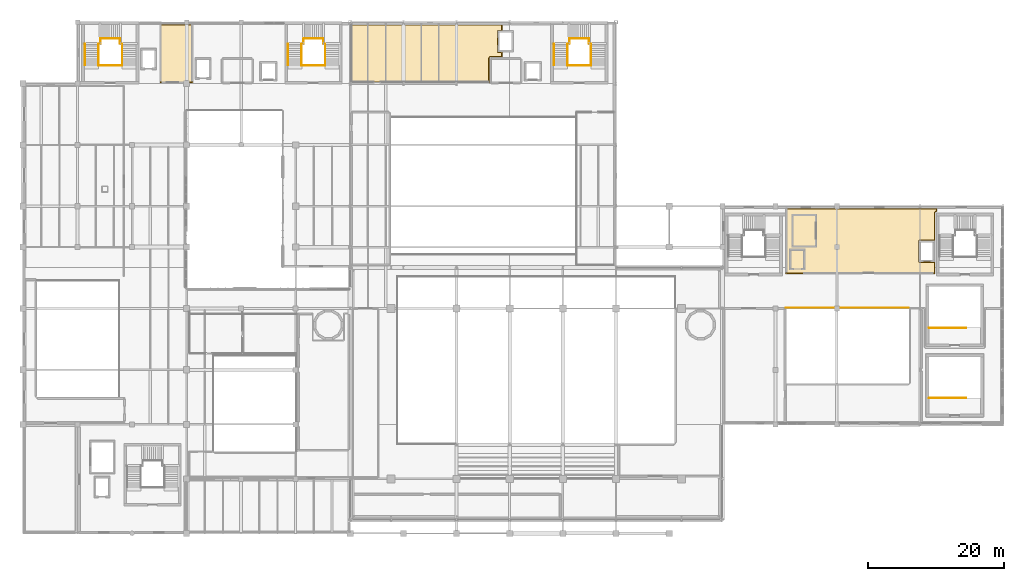
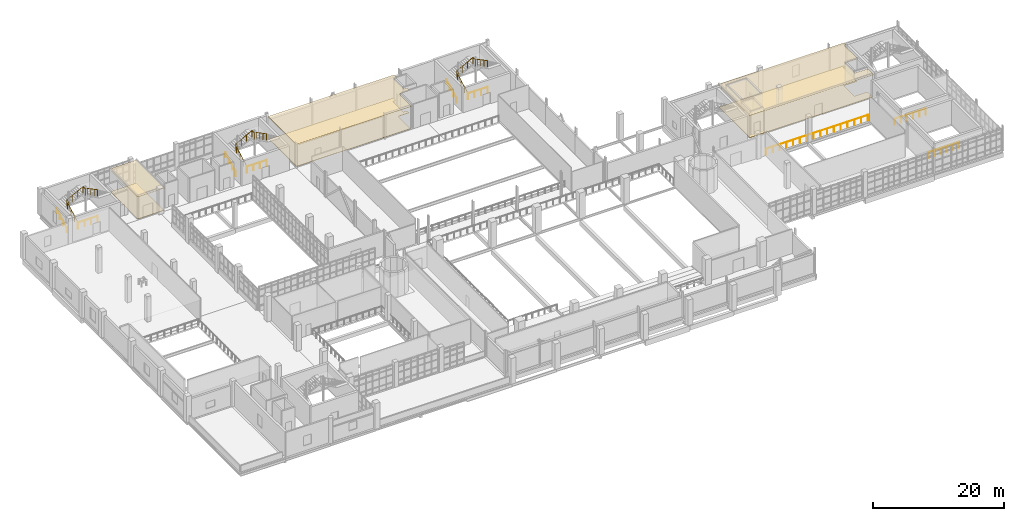
# One storey, part 101 of 102: 12 railings, 6 coverings.
"""IFC4 building model written with IfcOpenShell, lengths in metres."""

import ifcopenshell
import ifcopenshell.guid

model = None  # the IFC model being written
_history = None  # IfcOwnerHistory: only IFC2X3 demands one
_inside = {}  # id of a spatial element -> (the spatial element, [elements in it])
_under = {}  # id of a project, library or spatial element -> (it, [spatial elements below it])
_declared = {}  # id of a project -> (the project, [libraries it declares])
_typed = {}  # id of a type object -> (the type object, [elements of that type])
_made_of = {}  # id of a material, layer set ... -> (it, [elements and type objects made of it])


def new_model(schema):
    """Start an empty IFC model of exactly this schema.

    Asked for "IFC4X3", IfcOpenShell would pick the latest addendum, in which some entities
    have other attributes; the version numbers below select the first issue.
    IFC2X3 requires an IfcOwnerHistory on every rooted entity: one is made here for all.
    """
    global model, _history
    if schema == "IFC4X3":
        model = ifcopenshell.file(schema_version=(4, 3, 0, 0))
    else:
        model = ifcopenshell.file(schema=schema)
    _inside.clear()
    _under.clear()
    _declared.clear()
    _typed.clear()
    _made_of.clear()
    _history = None
    if model.schema == "IFC2X3":
        org = make("IfcOrganization", Name="unknown")
        user = make(
            "IfcPersonAndOrganization",
            ThePerson=make("IfcPerson", FamilyName="unknown"),
            TheOrganization=org,
        )
        app = make(
            "IfcApplication",
            ApplicationDeveloper=org,
            Version="unknown",
            ApplicationFullName="unknown",
            ApplicationIdentifier="unknown",
        )
        _history = make(
            "IfcOwnerHistory",
            OwningUser=user,
            OwningApplication=app,
            ChangeAction="ADDED",
            CreationDate=0,
        )
    return model


def make(cls, **values):
    """One entity of the class cls with the attributes given. An attribute that is None is left unset."""
    return model.create_entity(
        cls, **{name: value for name, value in values.items() if value is not None}
    )


def rooted(cls, **values):
    """An entity with a GlobalId (a new one), such as an element, a storey or a relation."""
    return make(cls, GlobalId=ifcopenshell.guid.new(), OwnerHistory=_history, **values)


def si_unit(unit_type, name, prefix=None):
    """IfcSIUnit, for example si_unit("LENGTHUNIT", "METRE", prefix="MILLI")."""
    return make("IfcSIUnit", UnitType=unit_type, Prefix=prefix, Name=name)


def derived_unit(unit_type, elements):
    """IfcDerivedUnit: a product of units, each with its exponent."""
    return make(
        "IfcDerivedUnit",
        Elements=[
            make("IfcDerivedUnitElement", Unit=unit, Exponent=power)
            for unit, power in elements
        ],
        UnitType=unit_type,
    )


def assignment(units):
    """IfcUnitAssignment: the units of a project."""
    return None if units is None else make("IfcUnitAssignment", Units=units)


def point(xyz):
    """IfcCartesianPoint."""
    return None if xyz is None else make("IfcCartesianPoint", Coordinates=xyz)


def direction(xyz):
    """IfcDirection."""
    return None if xyz is None else make("IfcDirection", DirectionRatios=xyz)


def frame(location, z_axis=None, x_axis=None):
    """IfcAxis2Placement3D, a coordinate frame: its origin and axes. An axis left out is left unset."""
    return make(
        "IfcAxis2Placement3D",
        Location=point(location),
        Axis=direction(z_axis),
        RefDirection=direction(x_axis),
    )


def frame_2d(location, x_axis=None):
    """IfcAxis2Placement2D, a coordinate frame in the plane: its origin and x axis."""
    return make(
        "IfcAxis2Placement2D", Location=point(location), RefDirection=direction(x_axis)
    )


def origin():
    """The frame at (0, 0, 0) with its axes left unset."""
    return frame((0.0, 0.0, 0.0))


def origin_2d():
    """The frame at (0, 0) in the plane with its x axis left unset."""
    return frame_2d((0.0, 0.0))


def place(relative_to, where):
    """IfcLocalPlacement: puts the frame where relative to a parent placement (None: the world)."""
    return make(
        "IfcLocalPlacement", PlacementRelTo=relative_to, RelativePlacement=where
    )


def context(
    kind, dimensions, precision=None, world=None, true_north=None, identifier=None
):
    """IfcGeometricRepresentationContext, for example the 3D "Model" context."""
    return make(
        "IfcGeometricRepresentationContext",
        ContextIdentifier=identifier,
        ContextType=kind,
        CoordinateSpaceDimension=dimensions,
        Precision=precision,
        WorldCoordinateSystem=world,
        TrueNorth=true_north,
    )


def subcontext(parent, identifier, kind, view, scale=None):
    """IfcGeometricRepresentationSubContext, for example "Body" below "Model"."""
    return make(
        "IfcGeometricRepresentationSubContext",
        ContextIdentifier=identifier,
        ContextType=kind,
        ParentContext=parent,
        TargetScale=scale,
        TargetView=view,
    )


def project(units=None, contexts=None):
    """IfcProject with its units and contexts."""
    return rooted(
        "IfcProject",
        Name="project",
        RepresentationContexts=contexts,
        UnitsInContext=assignment(units),
    )


def spatial(cls, under=None, at=None, **own):
    """A site, building, storey or space (cls), placed at a placement, below another one or the project."""
    s = rooted(cls, ObjectPlacement=at, **own)
    if under is not None:
        _under.setdefault(under.id(), (under, []))[1].append(s)
    return s


def polyline(points):
    """IfcPolyline through the points."""
    return make("IfcPolyline", Points=[point(p) for p in points])


def profile(cls, at=None, kind="AREA", **sizes):
    """A parametric profile (cls). Its sizes go by their IFC names, for example OverallWidth=200.0."""
    return make(cls, ProfileType=kind, Position=at, **sizes)


def circle(**sizes):
    """IfcCircleProfileDef."""
    return profile("IfcCircleProfileDef", **sizes)


def outline(outer, holes=None, kind="AREA"):
    """IfcArbitraryClosedProfileDef: a profile drawn as a closed curve; with holes, ...WithVoids."""
    if holes is None:
        return make("IfcArbitraryClosedProfileDef", ProfileType=kind, OuterCurve=outer)
    return make(
        "IfcArbitraryProfileDefWithVoids",
        ProfileType=kind,
        OuterCurve=outer,
        InnerCurves=holes,
    )


def extrude(swept, where, along, depth):
    """IfcExtrudedAreaSolid: the profile swept, set in the frame where, extruded along a direction by depth."""
    return make(
        "IfcExtrudedAreaSolid",
        SweptArea=swept,
        Position=where,
        ExtrudedDirection=direction(along),
        Depth=depth,
    )


def shape(context_of_items, identifier, shape_type, items):
    """IfcShapeRepresentation: the items that make up one representation, for example the "Body"."""
    return make(
        "IfcShapeRepresentation",
        ContextOfItems=context_of_items,
        RepresentationIdentifier=identifier,
        RepresentationType=shape_type,
        Items=items,
    )


def material(Name=None, Category=None):
    """IfcMaterial."""
    return make("IfcMaterial", Name=Name, Category=Category)


def layer(
    of_material, thickness, ventilated=None, Name=None, Category=None, Priority=None
):
    """IfcMaterialLayer: one layer of a wall or slab, of a material (None: an air gap)."""
    return make(
        "IfcMaterialLayer",
        Material=of_material,
        LayerThickness=thickness,
        IsVentilated=ventilated,
        Name=Name,
        Category=Category,
        Priority=Priority,
    )


def layer_set(layers, Name=None):
    """IfcMaterialLayerSet."""
    return make("IfcMaterialLayerSet", MaterialLayers=layers, LayerSetName=Name)


def made_of(thing, what):
    """Note that an element or type object is made of a material, layer set ...; save() writes the relation."""
    if what is not None:
        _made_of.setdefault(what.id(), (what, []))[1].append(thing)
    return thing


def type_object(cls, material=None, **own):
    """A type object (cls), such as IfcWallType, which elements share."""
    return made_of(rooted(cls, **own), material)


def element(
    cls,
    number,
    at=None,
    inside=None,
    cuts=None,
    type_object=None,
    material=None,
    context=None,
    identifier="Body",
    shape_type=None,
    held_by="IfcProductDefinitionShape",
    body=None,
    shapes=None,
    **own,
):
    """One element of the class cls, such as IfcWall. Its Tag is "e" and its number.

    at: its placement. inside: the storey or other place that contains it. cuts: it is an
    opening in that element (IfcRelVoidsElement). A single representation is given by context,
    identifier, shape_type and body (its items); several are given by shapes. held_by: the class
    of the entity that holds the representations. save() writes the other relations.
    """
    e = rooted(cls, Tag="e%d" % number, ObjectPlacement=at, **own)
    if body is not None:
        shapes = [shape(context, identifier, shape_type, body)]
    if shapes is not None:
        e.Representation = make(held_by, Representations=shapes)
    if inside is not None:
        _inside.setdefault(inside.id(), (inside, []))[1].append(e)
    if cuts is not None:
        rooted(
            "IfcRelVoidsElement", RelatingBuildingElement=cuts, RelatedOpeningElement=e
        )
    if type_object is not None:
        _typed.setdefault(type_object.id(), (type_object, []))[1].append(e)
    return made_of(e, material)


def aggregate(whole, parts):
    """IfcRelAggregates: a whole, such as a stair, and the parts it consists of."""
    return rooted("IfcRelAggregates", RelatingObject=whole, RelatedObjects=parts)


def save(model, path):
    """Write the relations noted so far, then the file.

    IfcRelAggregates (storeys below a building ...), IfcRelContainedInSpatialStructure (elements
    in a storey), IfcRelDefinesByType, IfcRelAssociatesMaterial and IfcRelDeclares: one each for
    every whole, place, type object, material and project.
    """
    for whole, parts in _under.values():
        aggregate(whole, parts)
    for where, things in _inside.values():
        rooted(
            "IfcRelContainedInSpatialStructure",
            RelatedElements=things,
            RelatingStructure=where,
        )
    for kind, things in _typed.values():
        rooted("IfcRelDefinesByType", RelatedObjects=things, RelatingType=kind)
    for what, things in _made_of.values():
        rooted("IfcRelAssociatesMaterial", RelatedObjects=things, RelatingMaterial=what)
    for by, libraries in _declared.values():
        rooted("IfcRelDeclares", RelatingContext=by, RelatedDefinitions=libraries)
    model.write(path)


model = new_model("IFC4")

# Units and contexts
model_context = context("Model", 3, precision=1e-05, world=origin(), true_north=direction((0.0, 1.0)))
body_context = subcontext(model_context, "Body", "Model", "MODEL_VIEW")
ifc_project = project(units=[si_unit("LENGTHUNIT", "METRE"), si_unit("AREAUNIT", "SQUARE_METRE"), si_unit("VOLUMEUNIT", "CUBIC_METRE"), si_unit("PLANEANGLEUNIT", "RADIAN"), si_unit("MASSUNIT", "GRAM", prefix="KILO"), derived_unit("THERMALTRANSMITTANCEUNIT", [(si_unit("POWERUNIT", "WATT"), 1), (si_unit("LENGTHUNIT", "METRE"), -2), (si_unit("THERMODYNAMICTEMPERATUREUNIT", "KELVIN"), -1)])], contexts=[model_context])

# Site, building, storey
site_placement = place(None, origin())
site = spatial("IfcSite", under=ifc_project, at=site_placement, CompositionType="ELEMENT")
building_placement = place(site_placement, origin())
building = spatial("IfcBuilding", under=site, at=building_placement, Name="Nallur Shell Playhouse", CompositionType="ELEMENT")
storey_placement = place(building_placement, frame((0.0, 0.0, 15.0)))
storey = spatial("IfcBuildingStorey", under=building, at=storey_placement, Name="L04", CompositionType="ELEMENT", Elevation=15.0)

# Coverings
ifc_material_1 = material(Name="Micro-Perforated Teak Veneer Acoustic Baffle Ceiling")
ifc_layer_1 = layer(ifc_material_1, 0.044921875)
ifc_layer_set_1 = layer_set([ifc_layer_1], Name="Micro-Perforated Teak Veneer Acoustic Baffle Ceiling")
covering_type_1 = type_object("IfcCoveringType", Name="CV-CEIL-AC1", PredefinedType="CEILING", material=ifc_layer_set_1)
covering_1_placement = place(storey_placement, frame((0.0, 0.0, 4.205078125)))
element("IfcCovering", 1, at=covering_1_placement, inside=storey, type_object=covering_type_1, Name="Dramaturgy & Stagecraft Lecture Room suspended acoustic ceiling", PredefinedType="CEILING", context=body_context, shape_type="SweptSolid", body=[
    extrude(outline(polyline([(149.947509765625, 55.1826171875), (149.943115234375, 55.18115234375), (149.928955078125, 55.176025390625), (149.925048828125, 55.174560546875), (149.912353515625, 55.16845703125), (149.908447265625, 55.16650390625), (149.896484375, 55.1591796875), (149.892822265625, 55.15673828125), (149.88134765625, 55.148193359375), (149.877685546875, 55.145263671875), (149.8671875, 55.1357421875), (149.8642578125, 55.1328125), (149.854736328125, 55.122314453125), (149.851806640625, 55.11865234375), (149.84326171875, 55.107177734375), (149.8408203125, 55.103515625), (149.83349609375, 55.091552734375), (149.83154296875, 55.087646484375), (149.825439453125, 55.074951171875), (149.823974609375, 55.071044921875), (149.81884765625, 55.056884765625), (149.8173828125, 55.052490234375), (149.814208984375, 55.039306640625), (149.813232421875, 55.034912109375), (149.811279296875, 55.02099609375), (149.810791015625, 55.0166015625), (149.81005859375, 55.0009765625), (149.81005859375, 54.998779296875), (149.81005859375, 50.909912109375), (147.489990234375, 50.909912109375), (147.489990234375, 47.889892578125), (149.81005859375, 47.889892578125), (149.81005859375, 46.090087890625), (127.889892578125, 46.090087890625), (127.889892578125, 55.7099609375), (150.110107421875, 55.7099609375), (150.110107421875, 55.192138671875), (149.9990234375, 55.18994140625), (149.9833984375, 55.189208984375), (149.97900390625, 55.188720703125), (149.965087890625, 55.186767578125), (149.960693359375, 55.185791015625), (149.947509765625, 55.1826171875)])), origin(), (0.0, 0.0, 1.0), 0.044921875),
])
covering_2_placement = place(storey_placement, frame((0.0, 0.0, 4.205078125)))
element("IfcCovering", 2, at=covering_2_placement, inside=storey, type_object=covering_type_1, Name="Orchestral Sheet-Music & Script Library suspended acoustic ceiling", PredefinedType="CEILING", context=body_context, shape_type="SweptSolid", body=[
    extrude(outline(polyline([(84.60107421875, 77.8701171875), (84.59912109375, 77.8701171875), (84.585205078125, 77.869384765625), (84.580810546875, 77.868896484375), (84.569580078125, 77.8671875), (84.56494140625, 77.8662109375), (84.552978515625, 77.86328125), (84.548583984375, 77.86181640625), (84.537109375, 77.85791015625), (84.533447265625, 77.856201171875), (84.521728515625, 77.850830078125), (84.517822265625, 77.8486328125), (84.50732421875, 77.84228515625), (84.50341796875, 77.83984375), (84.494384765625, 77.8330078125), (84.490966796875, 77.830078125), (84.4814453125, 77.821533203125), (84.478515625, 77.818603515625), (84.4697265625, 77.80908203125), (84.466796875, 77.8056640625), (84.460205078125, 77.796630859375), (84.457763671875, 77.792724609375), (84.451416015625, 77.7822265625), (84.44921875, 77.7783203125), (84.443603515625, 77.7666015625), (84.442138671875, 77.7626953125), (84.43798828125, 77.75146484375), (84.436767578125, 77.7470703125), (84.433837890625, 77.735107421875), (84.432861328125, 77.73046875), (84.43115234375, 77.71923828125), (84.4306640625, 77.714599609375), (84.429931640625, 77.700927734375), (84.429931640625, 77.698974609375), (84.429931640625, 74.090087890625), (64.090087890625, 74.090087890625), (64.090087890625, 82.7099609375), (86.31005859375, 82.7099609375), (86.31005859375, 81.7099609375), (85.68994140625, 81.7099609375), (85.68994140625, 78.68994140625), (86.31005859375, 78.68994140625), (86.31005859375, 77.8701171875), (84.60107421875, 77.8701171875)])), origin(), (0.0, 0.0, 1.0), 0.044921875),
])
ifc_material_2 = material(Name="Mineral-Fibre High-NRC Suspended Ceiling Tile")
ifc_layer_2 = layer(ifc_material_2, 0.030029296875)
ifc_layer_set_2 = layer_set([ifc_layer_2], Name="Mineral-Fibre High-NRC Suspended Ceiling Tile")
covering_type_2 = type_object("IfcCoveringType", Name="CV-CEIL-AC2", PredefinedType="CEILING", material=ifc_layer_set_2)
covering_3_placement = place(storey_placement, frame((0.0, 0.0, 4.219970703125)))
element("IfcCovering", 3, at=covering_3_placement, inside=storey, type_object=covering_type_2, Name="Sprung-Floor Dance & Movement Studio suspended acoustic ceiling", PredefinedType="CEILING", context=body_context, shape_type="SweptSolid", body=[
    extrude(outline(polyline([(36.090087890625, 82.7099609375), (40.909912109375, 82.7099609375), (40.909912109375, 74.090087890625), (36.090087890625, 74.090087890625), (36.090087890625, 82.7099609375)])), origin(), (0.0, 0.0, 1.0), 0.030029296875),
])
ifc_material_3 = material(Name="Polished Chettinad Oxide & White Marble Terrazzo Flooring", Category="masonry")
ifc_layer_3 = layer(ifc_material_3, 0.050048828125)
ifc_layer_set_3 = layer_set([ifc_layer_3], Name="Polished Chettinad Oxide & White Marble Terrazzo Flooring")
covering_type_3 = type_object("IfcCoveringType", Name="CV-FLOR-TERRAZZO", PredefinedType="FLOORING", material=ifc_layer_set_3)
covering_4_placement = place(storey_placement, origin())
element("IfcCovering", 4, at=covering_4_placement, inside=storey, type_object=covering_type_3, Name="Orchestral Sheet-Music & Script Library floor finish", PredefinedType="FLOORING", context=body_context, shape_type="SweptSolid", body=[
    extrude(outline(polyline([(85.6416015625, 81.8125), (85.6328125, 81.80810546875), (85.62451171875, 81.802978515625), (85.61669921875, 81.79736328125), (85.609375, 81.790771484375), (85.602783203125, 81.783447265625), (85.596923828125, 81.775634765625), (85.591796875, 81.76708984375), (85.587646484375, 81.75830078125), (85.584228515625, 81.7490234375), (85.581787109375, 81.739501953125), (85.58056640625, 81.729736328125), (85.580078125, 81.719970703125), (85.580078125, 78.679931640625), (85.58056640625, 78.670166015625), (85.581787109375, 78.660400390625), (85.584228515625, 78.65087890625), (85.587646484375, 78.6416015625), (85.591796875, 78.6328125), (85.596923828125, 78.62451171875), (85.602783203125, 78.61669921875), (85.609375, 78.609375), (85.61669921875, 78.602783203125), (85.62451171875, 78.596923828125), (85.6328125, 78.591796875), (85.6416015625, 78.587646484375), (85.65087890625, 78.584228515625), (85.660400390625, 78.581787109375), (85.670166015625, 78.58056640625), (85.679931640625, 78.580078125), (86.199951171875, 78.580078125), (86.199951171875, 77.97998046875), (84.60009765625, 77.97998046875), (84.59521484375, 77.97998046875), (84.577392578125, 77.97900390625), (84.567626953125, 77.97802734375), (84.55029296875, 77.9755859375), (84.54052734375, 77.973388671875), (84.5234375, 77.96923828125), (84.51416015625, 77.96630859375), (84.497314453125, 77.96044921875), (84.48828125, 77.956787109375), (84.472412109375, 77.94921875), (84.463623046875, 77.944580078125), (84.448486328125, 77.935302734375), (84.4404296875, 77.929931640625), (84.42626953125, 77.91943359375), (84.418701171875, 77.9130859375), (84.405517578125, 77.9013671875), (84.398681640625, 77.894287109375), (84.38671875, 77.88134765625), (84.380615234375, 77.873779296875), (84.3701171875, 77.859619140625), (84.364501953125, 77.851318359375), (84.35546875, 77.836181640625), (84.350830078125, 77.82763671875), (84.34326171875, 77.8115234375), (84.339599609375, 77.802490234375), (84.33349609375, 77.785888671875), (84.330810546875, 77.776611328125), (84.326416015625, 77.759521484375), (84.324462890625, 77.749755859375), (84.322021484375, 77.732421875), (84.321044921875, 77.722412109375), (84.320068359375, 77.704833984375), (84.320068359375, 77.699951171875), (84.320068359375, 74.199951171875), (64.199951171875, 74.199951171875), (64.199951171875, 82.60009765625), (86.199951171875, 82.60009765625), (86.199951171875, 81.820068359375), (85.679931640625, 81.820068359375), (85.670166015625, 81.819580078125), (85.660400390625, 81.818115234375), (85.65087890625, 81.815673828125), (85.6416015625, 81.8125)])), origin(), (0.0, 0.0, 1.0), 0.050048828125),
])
ifc_material_4 = material(Name="Sprung Semi-Resilient Stage & Dance Hardwood Flooring", Category="wood")
ifc_layer_4 = layer(ifc_material_4, 0.054931640625)
ifc_layer_set_4 = layer_set([ifc_layer_4], Name="Sprung Semi-Resilient Stage & Dance Hardwood Flooring")
covering_type_4 = type_object("IfcCoveringType", Name="CV-FLOR-TIMBER", PredefinedType="FLOORING", material=ifc_layer_set_4)
covering_5_placement = place(storey_placement, origin())
element("IfcCovering", 5, at=covering_5_placement, inside=storey, type_object=covering_type_4, Name="Dramaturgy & Stagecraft Lecture Room floor finish", PredefinedType="FLOORING", context=body_context, shape_type="SweptSolid", body=[
    extrude(outline(polyline([(149.91748046875, 55.288330078125), (149.908203125, 55.285400390625), (149.889892578125, 55.27880859375), (149.880615234375, 55.275146484375), (149.863037109375, 55.266845703125), (149.854248046875, 55.26220703125), (149.83740234375, 55.252197265625), (149.829345703125, 55.24658203125), (149.813720703125, 55.23486328125), (149.805908203125, 55.228759765625), (149.79150390625, 55.215576171875), (149.784423828125, 55.20849609375), (149.771240234375, 55.194091796875), (149.76513671875, 55.186279296875), (149.75341796875, 55.170654296875), (149.747802734375, 55.16259765625), (149.73779296875, 55.145751953125), (149.733154296875, 55.136962890625), (149.724853515625, 55.119384765625), (149.72119140625, 55.110107421875), (149.714599609375, 55.091796875), (149.711669921875, 55.08251953125), (149.706787109375, 55.063232421875), (149.704833984375, 55.0537109375), (149.701904296875, 55.0341796875), (149.701171875, 55.0244140625), (149.7001953125, 55.0048828125), (149.699951171875, 55.0), (149.699951171875, 51.02001953125), (147.47998046875, 51.02001953125), (147.47021484375, 51.01953125), (147.46044921875, 51.01806640625), (147.450927734375, 51.015625), (147.441650390625, 51.012451171875), (147.432861328125, 51.00830078125), (147.42431640625, 51.003173828125), (147.41650390625, 50.997314453125), (147.4091796875, 50.99072265625), (147.402587890625, 50.9833984375), (147.39697265625, 50.9755859375), (147.391845703125, 50.967041015625), (147.3876953125, 50.958251953125), (147.38427734375, 50.948974609375), (147.3818359375, 50.939453125), (147.380615234375, 50.9296875), (147.3798828125, 50.919921875), (147.3798828125, 47.8798828125), (147.380615234375, 47.8701171875), (147.3818359375, 47.860595703125), (147.38427734375, 47.85107421875), (147.3876953125, 47.841796875), (147.391845703125, 47.8330078125), (147.39697265625, 47.824462890625), (147.402587890625, 47.816650390625), (147.4091796875, 47.809326171875), (147.41650390625, 47.802734375), (147.42431640625, 47.796875), (147.432861328125, 47.791748046875), (147.441650390625, 47.78759765625), (147.450927734375, 47.7841796875), (147.46044921875, 47.781982421875), (147.47021484375, 47.780517578125), (147.47998046875, 47.780029296875), (149.699951171875, 47.780029296875), (149.699951171875, 46.199951171875), (128.0, 46.199951171875), (128.0, 55.60009765625), (150.0, 55.60009765625), (150.0, 55.300048828125), (149.9951171875, 55.2998046875), (149.9755859375, 55.298828125), (149.9658203125, 55.298095703125), (149.9462890625, 55.295166015625), (149.936767578125, 55.293212890625), (149.91748046875, 55.288330078125)])), origin(), (0.0, 0.0, 1.0), 0.054931640625),
])
covering_6_placement = place(storey_placement, origin())
element("IfcCovering", 6, at=covering_6_placement, inside=storey, type_object=covering_type_4, Name="Sprung-Floor Dance & Movement Studio floor finish", PredefinedType="FLOORING", context=body_context, shape_type="SweptSolid", body=[
    extrude(outline(polyline([(36.199951171875, 82.60009765625), (40.800048828125, 82.60009765625), (40.800048828125, 74.199951171875), (36.199951171875, 74.199951171875), (36.199951171875, 82.60009765625)])), origin(), (0.0, 0.0, 1.0), 0.054931640625),
])

# Railings
ifc_material_5 = material(Name="Bronze-Anodised Foyer Void Acoustic Glass Guardrail", Category="glass")
railing_type_1 = type_object("IfcRailingType", Name="RL-BAL-1100", PredefinedType="BALUSTRADE", material=ifc_material_5)
railing_1_placement = place(storey_placement, frame((145.919189453125, 41.10009765625, 0.0)))
element("IfcRailing", 7, at=railing_1_placement, inside=storey, type_object=railing_type_1, Name="L04 interior void balustrade 026", PredefinedType="BALUSTRADE", context=body_context, shape_type="SweptSolid", body=[
    extrude(circle(Radius=0.02392578125, at=origin_2d()), frame((0.0, 0.0, 1.09619140625), z_axis=(-1.0, 0.0, 0.0), x_axis=(0.0, -1.0, 0.0)), (0.0, 0.0, 1.0), 17.98388671875),
    extrude(circle(Radius=0.02099609375, at=origin_2d()), origin(), (0.0, 0.0, 1.0), 1.072021484375),
    extrude(circle(Radius=0.02099609375, at=origin_2d()), frame((-1.198974609375, 0.0, 0.0)), (0.0, 0.0, 1.0), 1.072021484375),
    extrude(circle(Radius=0.02099609375, at=origin_2d()), frame((-2.39794921875, 0.0, 0.0)), (0.0, 0.0, 1.0), 1.072021484375),
    extrude(circle(Radius=0.02099609375, at=origin_2d()), frame((-3.5966796875, 0.0, 0.0)), (0.0, 0.0, 1.0), 1.072021484375),
    extrude(circle(Radius=0.02099609375, at=origin_2d()), frame((-4.795654296875, 0.0, 0.0)), (0.0, 0.0, 1.0), 1.072021484375),
    extrude(circle(Radius=0.02099609375, at=origin_2d()), frame((-5.99462890625, 0.0, 0.0)), (0.0, 0.0, 1.0), 1.072021484375),
    extrude(circle(Radius=0.02099609375, at=origin_2d()), frame((-7.193603515625, 0.0, 0.0)), (0.0, 0.0, 1.0), 1.072021484375),
    extrude(circle(Radius=0.02099609375, at=origin_2d()), frame((-8.392578125, 0.0, 0.0)), (0.0, 0.0, 1.0), 1.072021484375),
    extrude(circle(Radius=0.02099609375, at=origin_2d()), frame((-9.59130859375, 0.0, 0.0)), (0.0, 0.0, 1.0), 1.072021484375),
    extrude(circle(Radius=0.02099609375, at=origin_2d()), frame((-10.790283203125, 0.0, 0.0)), (0.0, 0.0, 1.0), 1.072021484375),
    extrude(circle(Radius=0.02099609375, at=origin_2d()), frame((-11.9892578125, 0.0, 0.0)), (0.0, 0.0, 1.0), 1.072021484375),
    extrude(circle(Radius=0.02099609375, at=origin_2d()), frame((-13.188232421875, 0.0, 0.0)), (0.0, 0.0, 1.0), 1.072021484375),
    extrude(circle(Radius=0.02099609375, at=origin_2d()), frame((-14.38720703125, 0.0, 0.0)), (0.0, 0.0, 1.0), 1.072021484375),
    extrude(circle(Radius=0.02099609375, at=origin_2d()), frame((-15.5859375, 0.0, 0.0)), (0.0, 0.0, 1.0), 1.072021484375),
    extrude(circle(Radius=0.02099609375, at=origin_2d()), frame((-16.784912109375, 0.0, 0.0)), (0.0, 0.0, 1.0), 1.072021484375),
    extrude(circle(Radius=0.02099609375, at=origin_2d()), frame((-17.98388671875, 0.0, 0.0)), (0.0, 0.0, 1.0), 1.072021484375),
])
ifc_material_6 = material(Name="Brushed Stainless Steel 316 Balustrade & Toughened Infill", Category="steel")
railing_type_2 = type_object("IfcRailingType", Name="RL-GUARD-1100", PredefinedType="BALUSTRADE", material=ifc_material_6)
railing_2_placement = place(storey_placement, frame((56.860107421875, 76.699951171875, 0.0)))
element("IfcRailing", 8, at=railing_2_placement, inside=storey, type_object=railing_type_2, Name="Stair ST-03-L04 inner open-well guard", PredefinedType="BALUSTRADE", context=body_context, shape_type="SweptSolid", body=[
    extrude(circle(Radius=0.02392578125, at=origin_2d()), frame((0.0, 0.0, 1.15576171875), z_axis=(0.0, 0.885243475438, 0.465127927773), x_axis=(-1.0, 0.0, 0.0)), (0.0, 0.0, 1.0), 3.547119140625),
    extrude(circle(Radius=0.02392578125, at=origin_2d()), frame((0.0, 3.14013671875, 2.8056640625), z_axis=(1.0, 0.0, 0.0), x_axis=(0.0, 1.0, 0.0)), (0.0, 0.0, 1.0), 0.304931640625),
    extrude(circle(Radius=0.02392578125, at=origin_2d()), frame((0.304931640625, 3.14013671875, 2.8056640625), z_axis=(0.0, 1.0, 0.0), x_axis=(-1.0, 0.0, 0.0)), (0.0, 0.0, 1.0), 0.760009765625),
    extrude(circle(Radius=0.02392578125, at=origin_2d()), frame((0.304931640625, 3.900146484375, 2.8056640625), z_axis=(0.886245843587, 0.0, 0.46321518188), x_axis=(0.0, 1.0, 0.0)), (0.0, 0.0, 1.0), 3.23828125),
    extrude(circle(Radius=0.02392578125, at=origin_2d()), frame((3.1748046875, 3.900146484375, 4.3056640625), z_axis=(0.0, -1.0, 0.0), x_axis=(1.0, 0.0, 0.0)), (0.0, 0.0, 1.0), 0.760009765625),
    extrude(circle(Radius=0.02392578125, at=origin_2d()), frame((3.1748046875, 3.14013671875, 4.3056640625), z_axis=(1.0, 0.0, 0.0), x_axis=(0.0, 1.0, 0.0)), (0.0, 0.0, 1.0), 0.30517578125),
    extrude(circle(Radius=0.02392578125, at=origin_2d()), frame((3.47998046875, 3.14013671875, 4.3056640625), z_axis=(0.0, -0.885215135385, 0.465181861302), x_axis=(1.0, 0.0, 0.0)), (0.0, 0.0, 1.0), 3.54736328125),
    extrude(circle(Radius=0.02099609375, at=origin_2d()), origin(), (0.0, 0.0, 1.0), 1.1318359375),
    extrude(circle(Radius=0.02099609375, at=origin_2d()), frame((0.0, 1.046630859375, 0.550048828125)), (0.0, 0.0, 1.0), 1.1318359375),
    extrude(circle(Radius=0.02099609375, at=origin_2d()), frame((0.0, 2.093505859375, 1.099853515625)), (0.0, 0.0, 1.0), 1.1318359375),
    extrude(circle(Radius=0.02099609375, at=origin_2d()), frame((0.0, 3.14013671875, 1.64990234375)), (0.0, 0.0, 1.0), 1.1318359375),
    extrude(circle(Radius=0.02099609375, at=origin_2d()), frame((0.304931640625, 3.14013671875, 1.64990234375)), (0.0, 0.0, 1.0), 1.1318359375),
    extrude(circle(Radius=0.02099609375, at=origin_2d()), frame((0.304931640625, 3.900146484375, 1.64990234375)), (0.0, 0.0, 1.0), 1.1318359375),
    extrude(circle(Radius=0.02099609375, at=origin_2d()), frame((1.261474609375, 3.900146484375, 2.14990234375)), (0.0, 0.0, 1.0), 1.1318359375),
    extrude(circle(Radius=0.02099609375, at=origin_2d()), frame((2.21826171875, 3.900146484375, 2.64990234375)), (0.0, 0.0, 1.0), 1.1318359375),
    extrude(circle(Radius=0.02099609375, at=origin_2d()), frame((3.1748046875, 3.900146484375, 3.14990234375)), (0.0, 0.0, 1.0), 1.1318359375),
    extrude(circle(Radius=0.02099609375, at=origin_2d()), frame((3.1748046875, 3.14013671875, 3.14990234375)), (0.0, 0.0, 1.0), 1.1318359375),
    extrude(circle(Radius=0.02099609375, at=origin_2d()), frame((3.47998046875, 3.14013671875, 3.14990234375)), (0.0, 0.0, 1.0), 1.1318359375),
    extrude(circle(Radius=0.02099609375, at=origin_2d()), frame((3.47998046875, 2.093505859375, 3.699951171875)), (0.0, 0.0, 1.0), 1.1318359375),
    extrude(circle(Radius=0.02099609375, at=origin_2d()), frame((3.47998046875, 1.046630859375, 4.25)), (0.0, 0.0, 1.0), 1.1318359375),
    extrude(circle(Radius=0.02099609375, at=origin_2d()), frame((3.47998046875, 0.0, 4.800048828125)), (0.0, 0.0, 1.0), 1.1318359375),
])
railing_3_placement = place(storey_placement, frame((56.860107421875, 76.639892578125, 0.0)))
element("IfcRailing", 9, at=railing_3_placement, inside=storey, type_object=railing_type_2, Name="Stair ST-03-L04 floor-well guard", PredefinedType="BALUSTRADE", context=body_context, shape_type="SweptSolid", body=[
    extrude(circle(Radius=0.02392578125, at=origin_2d()), frame((0.0, 0.0, 1.09619140625), z_axis=(1.0, 0.0, 0.0), x_axis=(0.0, 1.0, 0.0)), (0.0, 0.0, 1.0), 3.47998046875),
    extrude(circle(Radius=0.02099609375, at=origin_2d()), origin(), (0.0, 0.0, 1.0), 1.072021484375),
    extrude(circle(Radius=0.02099609375, at=origin_2d()), frame((1.159912109375, 0.0, 0.0)), (0.0, 0.0, 1.0), 1.072021484375),
    extrude(circle(Radius=0.02099609375, at=origin_2d()), frame((2.320068359375, 0.0, 0.0)), (0.0, 0.0, 1.0), 1.072021484375),
    extrude(circle(Radius=0.02099609375, at=origin_2d()), frame((3.47998046875, 0.0, 0.0)), (0.0, 0.0, 1.0), 1.072021484375),
])
railing_4_placement = place(storey_placement, frame((95.860107421875, 76.699951171875, 0.0)))
element("IfcRailing", 10, at=railing_4_placement, inside=storey, type_object=railing_type_2, Name="Stair ST-04-L04 inner open-well guard", PredefinedType="BALUSTRADE", context=body_context, shape_type="SweptSolid", body=[
    extrude(circle(Radius=0.02392578125, at=origin_2d()), frame((0.0, 0.0, 1.15576171875), z_axis=(0.0, 0.885243475438, 0.465127927773), x_axis=(-1.0, 0.0, 0.0)), (0.0, 0.0, 1.0), 3.547119140625),
    extrude(circle(Radius=0.02392578125, at=origin_2d()), frame((0.0, 3.14013671875, 2.8056640625), z_axis=(1.0, 0.0, 0.0), x_axis=(0.0, 1.0, 0.0)), (0.0, 0.0, 1.0), 0.304931640625),
    extrude(circle(Radius=0.02392578125, at=origin_2d()), frame((0.304931640625, 3.14013671875, 2.8056640625), z_axis=(0.0, 1.0, 0.0), x_axis=(-1.0, 0.0, 0.0)), (0.0, 0.0, 1.0), 0.760009765625),
    extrude(circle(Radius=0.02392578125, at=origin_2d()), frame((0.304931640625, 3.900146484375, 2.8056640625), z_axis=(0.886245843587, 0.0, 0.46321518188), x_axis=(0.0, 1.0, 0.0)), (0.0, 0.0, 1.0), 3.23828125),
    extrude(circle(Radius=0.02392578125, at=origin_2d()), frame((3.1748046875, 3.900146484375, 4.3056640625), z_axis=(0.0, -1.0, 0.0), x_axis=(1.0, 0.0, 0.0)), (0.0, 0.0, 1.0), 0.760009765625),
    extrude(circle(Radius=0.02392578125, at=origin_2d()), frame((3.1748046875, 3.14013671875, 4.3056640625), z_axis=(1.0, 0.0, 0.0), x_axis=(0.0, 1.0, 0.0)), (0.0, 0.0, 1.0), 0.30517578125),
    extrude(circle(Radius=0.02392578125, at=origin_2d()), frame((3.47998046875, 3.14013671875, 4.3056640625), z_axis=(0.0, -0.885215135385, 0.465181861302), x_axis=(1.0, 0.0, 0.0)), (0.0, 0.0, 1.0), 3.54736328125),
    extrude(circle(Radius=0.02099609375, at=origin_2d()), origin(), (0.0, 0.0, 1.0), 1.1318359375),
    extrude(circle(Radius=0.02099609375, at=origin_2d()), frame((0.0, 1.046630859375, 0.550048828125)), (0.0, 0.0, 1.0), 1.1318359375),
    extrude(circle(Radius=0.02099609375, at=origin_2d()), frame((0.0, 2.093505859375, 1.099853515625)), (0.0, 0.0, 1.0), 1.1318359375),
    extrude(circle(Radius=0.02099609375, at=origin_2d()), frame((0.0, 3.14013671875, 1.64990234375)), (0.0, 0.0, 1.0), 1.1318359375),
    extrude(circle(Radius=0.02099609375, at=origin_2d()), frame((0.304931640625, 3.14013671875, 1.64990234375)), (0.0, 0.0, 1.0), 1.1318359375),
    extrude(circle(Radius=0.02099609375, at=origin_2d()), frame((0.304931640625, 3.900146484375, 1.64990234375)), (0.0, 0.0, 1.0), 1.1318359375),
    extrude(circle(Radius=0.02099609375, at=origin_2d()), frame((1.261474609375, 3.900146484375, 2.14990234375)), (0.0, 0.0, 1.0), 1.1318359375),
    extrude(circle(Radius=0.02099609375, at=origin_2d()), frame((2.21826171875, 3.900146484375, 2.64990234375)), (0.0, 0.0, 1.0), 1.1318359375),
    extrude(circle(Radius=0.02099609375, at=origin_2d()), frame((3.1748046875, 3.900146484375, 3.14990234375)), (0.0, 0.0, 1.0), 1.1318359375),
    extrude(circle(Radius=0.02099609375, at=origin_2d()), frame((3.1748046875, 3.14013671875, 3.14990234375)), (0.0, 0.0, 1.0), 1.1318359375),
    extrude(circle(Radius=0.02099609375, at=origin_2d()), frame((3.47998046875, 3.14013671875, 3.14990234375)), (0.0, 0.0, 1.0), 1.1318359375),
    extrude(circle(Radius=0.02099609375, at=origin_2d()), frame((3.47998046875, 2.093505859375, 3.699951171875)), (0.0, 0.0, 1.0), 1.1318359375),
    extrude(circle(Radius=0.02099609375, at=origin_2d()), frame((3.47998046875, 1.046630859375, 4.25)), (0.0, 0.0, 1.0), 1.1318359375),
    extrude(circle(Radius=0.02099609375, at=origin_2d()), frame((3.47998046875, 0.0, 4.800048828125)), (0.0, 0.0, 1.0), 1.1318359375),
])
railing_5_placement = place(storey_placement, frame((95.860107421875, 76.639892578125, 0.0)))
element("IfcRailing", 11, at=railing_5_placement, inside=storey, type_object=railing_type_2, Name="Stair ST-04-L04 floor-well guard", PredefinedType="BALUSTRADE", context=body_context, shape_type="SweptSolid", body=[
    extrude(circle(Radius=0.02392578125, at=origin_2d()), frame((0.0, 0.0, 1.09619140625), z_axis=(1.0, 0.0, 0.0), x_axis=(0.0, 1.0, 0.0)), (0.0, 0.0, 1.0), 3.47998046875),
    extrude(circle(Radius=0.02099609375, at=origin_2d()), origin(), (0.0, 0.0, 1.0), 1.072021484375),
    extrude(circle(Radius=0.02099609375, at=origin_2d()), frame((1.159912109375, 0.0, 0.0)), (0.0, 0.0, 1.0), 1.072021484375),
    extrude(circle(Radius=0.02099609375, at=origin_2d()), frame((2.320068359375, 0.0, 0.0)), (0.0, 0.0, 1.0), 1.072021484375),
    extrude(circle(Radius=0.02099609375, at=origin_2d()), frame((3.47998046875, 0.0, 0.0)), (0.0, 0.0, 1.0), 1.072021484375),
])
railing_6_placement = place(storey_placement, frame((27.06005859375, 76.699951171875, 0.0)))
element("IfcRailing", 12, at=railing_6_placement, inside=storey, type_object=railing_type_2, Name="Stair ST-06-L04 inner open-well guard", PredefinedType="BALUSTRADE", context=body_context, shape_type="SweptSolid", body=[
    extrude(circle(Radius=0.02392578125, at=origin_2d()), frame((0.0, 0.0, 1.15576171875), z_axis=(0.0, 0.885243475438, 0.465127927773), x_axis=(-1.0, 0.0, 0.0)), (0.0, 0.0, 1.0), 3.547119140625),
    extrude(circle(Radius=0.02392578125, at=origin_2d()), frame((0.0, 3.14013671875, 2.8056640625), z_axis=(1.0, 0.0, 0.0), x_axis=(0.0, 1.0, 0.0)), (0.0, 0.0, 1.0), 0.304931640625),
    extrude(circle(Radius=0.02392578125, at=origin_2d()), frame((0.304931640625, 3.14013671875, 2.8056640625), z_axis=(0.0, 1.0, 0.0), x_axis=(-1.0, 0.0, 0.0)), (0.0, 0.0, 1.0), 0.760009765625),
    extrude(circle(Radius=0.02392578125, at=origin_2d()), frame((0.304931640625, 3.900146484375, 2.8056640625), z_axis=(0.886262018935, 0.0, 0.463184233101), x_axis=(0.0, 1.0, 0.0)), (0.0, 0.0, 1.0), 3.238525390625),
    extrude(circle(Radius=0.02392578125, at=origin_2d()), frame((3.175048828125, 3.900146484375, 4.3056640625), z_axis=(0.0, -1.0, 0.0), x_axis=(1.0, 0.0, 0.0)), (0.0, 0.0, 1.0), 0.760009765625),
    extrude(circle(Radius=0.02392578125, at=origin_2d()), frame((3.175048828125, 3.14013671875, 4.3056640625), z_axis=(1.0, 0.0, 0.0), x_axis=(0.0, 1.0, 0.0)), (0.0, 0.0, 1.0), 0.304931640625),
    extrude(circle(Radius=0.02392578125, at=origin_2d()), frame((3.47998046875, 3.14013671875, 4.3056640625), z_axis=(0.0, -0.885215135385, 0.465181861302), x_axis=(1.0, 0.0, 0.0)), (0.0, 0.0, 1.0), 3.54736328125),
    extrude(circle(Radius=0.02099609375, at=origin_2d()), origin(), (0.0, 0.0, 1.0), 1.1318359375),
    extrude(circle(Radius=0.02099609375, at=origin_2d()), frame((0.0, 1.046630859375, 0.550048828125)), (0.0, 0.0, 1.0), 1.1318359375),
    extrude(circle(Radius=0.02099609375, at=origin_2d()), frame((0.0, 2.093505859375, 1.099853515625)), (0.0, 0.0, 1.0), 1.1318359375),
    extrude(circle(Radius=0.02099609375, at=origin_2d()), frame((0.0, 3.14013671875, 1.64990234375)), (0.0, 0.0, 1.0), 1.1318359375),
    extrude(circle(Radius=0.02099609375, at=origin_2d()), frame((0.304931640625, 3.14013671875, 1.64990234375)), (0.0, 0.0, 1.0), 1.1318359375),
    extrude(circle(Radius=0.02099609375, at=origin_2d()), frame((0.304931640625, 3.900146484375, 1.64990234375)), (0.0, 0.0, 1.0), 1.1318359375),
    extrude(circle(Radius=0.02099609375, at=origin_2d()), frame((1.26171875, 3.900146484375, 2.14990234375)), (0.0, 0.0, 1.0), 1.1318359375),
    extrude(circle(Radius=0.02099609375, at=origin_2d()), frame((2.21826171875, 3.900146484375, 2.64990234375)), (0.0, 0.0, 1.0), 1.1318359375),
    extrude(circle(Radius=0.02099609375, at=origin_2d()), frame((3.175048828125, 3.900146484375, 3.14990234375)), (0.0, 0.0, 1.0), 1.1318359375),
    extrude(circle(Radius=0.02099609375, at=origin_2d()), frame((3.175048828125, 3.14013671875, 3.14990234375)), (0.0, 0.0, 1.0), 1.1318359375),
    extrude(circle(Radius=0.02099609375, at=origin_2d()), frame((3.47998046875, 3.14013671875, 3.14990234375)), (0.0, 0.0, 1.0), 1.1318359375),
    extrude(circle(Radius=0.02099609375, at=origin_2d()), frame((3.47998046875, 2.093505859375, 3.699951171875)), (0.0, 0.0, 1.0), 1.1318359375),
    extrude(circle(Radius=0.02099609375, at=origin_2d()), frame((3.47998046875, 1.046630859375, 4.25)), (0.0, 0.0, 1.0), 1.1318359375),
    extrude(circle(Radius=0.02099609375, at=origin_2d()), frame((3.47998046875, 0.0, 4.800048828125)), (0.0, 0.0, 1.0), 1.1318359375),
])
railing_7_placement = place(storey_placement, frame((27.06005859375, 76.639892578125, 0.0)))
element("IfcRailing", 13, at=railing_7_placement, inside=storey, type_object=railing_type_2, Name="Stair ST-06-L04 floor-well guard", PredefinedType="BALUSTRADE", context=body_context, shape_type="SweptSolid", body=[
    extrude(circle(Radius=0.02392578125, at=origin_2d()), frame((0.0, 0.0, 1.09619140625), z_axis=(1.0, 0.0, 0.0), x_axis=(0.0, 1.0, 0.0)), (0.0, 0.0, 1.0), 3.47998046875),
    extrude(circle(Radius=0.02099609375, at=origin_2d()), origin(), (0.0, 0.0, 1.0), 1.072021484375),
    extrude(circle(Radius=0.02099609375, at=origin_2d()), frame((1.159912109375, 0.0, 0.0)), (0.0, 0.0, 1.0), 1.072021484375),
    extrude(circle(Radius=0.02099609375, at=origin_2d()), frame((2.320068359375, 0.0, 0.0)), (0.0, 0.0, 1.0), 1.072021484375),
    extrude(circle(Radius=0.02099609375, at=origin_2d()), frame((3.47998046875, 0.0, 0.0)), (0.0, 0.0, 1.0), 1.072021484375),
])
for number, where, name in (
    (14, (148.93994140625, 27.840087890625, 0.0), "Stair ST-08 top landing guardrail (L04)"),
    (15, (148.93994140625, 38.139892578125, 0.0), "Stair ST-09 top landing guardrail (L04)"),
):
    element("IfcRailing", number, at=place(storey_placement, frame(where)), inside=storey, type_object=railing_type_2, Name=name, PredefinedType="BALUSTRADE", context=body_context, shape_type="SweptSolid", body=[
        extrude(circle(Radius=0.02392578125, at=origin_2d()), frame((0.0, 0.0, 1.1357421875), z_axis=(1.0, 0.0, 0.0), x_axis=(0.0, 1.0, 0.0)), (0.0, 0.0, 1.0), 5.43994140625),
        extrude(circle(Radius=0.02099609375, at=origin_2d()), origin(), (0.0, 0.0, 1.0), 1.11181640625),
        extrude(circle(Radius=0.02099609375, at=origin_2d()), frame((1.087890625, 0.0, 0.0)), (0.0, 0.0, 1.0), 1.11181640625),
        extrude(circle(Radius=0.02099609375, at=origin_2d()), frame((2.176025390625, 0.0, 0.0)), (0.0, 0.0, 1.0), 1.11181640625),
        extrude(circle(Radius=0.02099609375, at=origin_2d()), frame((3.263916015625, 0.0, 0.0)), (0.0, 0.0, 1.0), 1.11181640625),
        extrude(circle(Radius=0.02099609375, at=origin_2d()), frame((4.35205078125, 0.0, 0.0)), (0.0, 0.0, 1.0), 1.11181640625),
        extrude(circle(Radius=0.02099609375, at=origin_2d()), frame((5.43994140625, 0.0, 0.0)), (0.0, 0.0, 1.0), 1.11181640625),
    ])
ifc_material_7 = material(Name="Stainless Steel 316 Continuous Tubular Handrail", Category="steel")
railing_type_3 = type_object("IfcRailingType", Name="RL-HANDRAIL-900", PredefinedType="HANDRAIL", material=ifc_material_7)
for number, where, name in (
    (16, (54.8798828125, 76.699951171875, 0.0), "Stair ST-03-L04 outer handrail F1"),
    (17, (93.8798828125, 76.699951171875, 0.0), "Stair ST-04-L04 outer handrail F1"),
    (18, (25.080078125, 76.699951171875, 0.0), "Stair ST-06-L04 outer handrail F1"),
):
    element("IfcRailing", number, at=place(storey_placement, frame(where)), inside=storey, type_object=railing_type_3, Name=name, PredefinedType="HANDRAIL", context=body_context, shape_type="SweptSolid", body=[
        extrude(circle(Radius=0.02392578125, at=origin_2d()), frame((0.0, 0.0, 0.89599609375), z_axis=(0.0, 0.882764430871, 0.469815878392), x_axis=(-1.0, 0.0, 0.0)), (0.0, 0.0, 1.0), 3.51171875),
        extrude(circle(Radius=0.02099609375, at=origin_2d()), origin(), (0.0, 0.0, 1.0), 0.871826171875),
        extrude(circle(Radius=0.02099609375, at=origin_2d()), frame((0.0, 1.033447265625, 0.550048828125)), (0.0, 0.0, 1.0), 0.871826171875),
        extrude(circle(Radius=0.02099609375, at=origin_2d()), frame((0.0, 2.066650390625, 1.099853515625)), (0.0, 0.0, 1.0), 0.871826171875),
        extrude(circle(Radius=0.02099609375, at=origin_2d()), frame((0.0, 3.10009765625, 1.64990234375)), (0.0, 0.0, 1.0), 0.871826171875),
    ])

save(model, "model.ifc")
